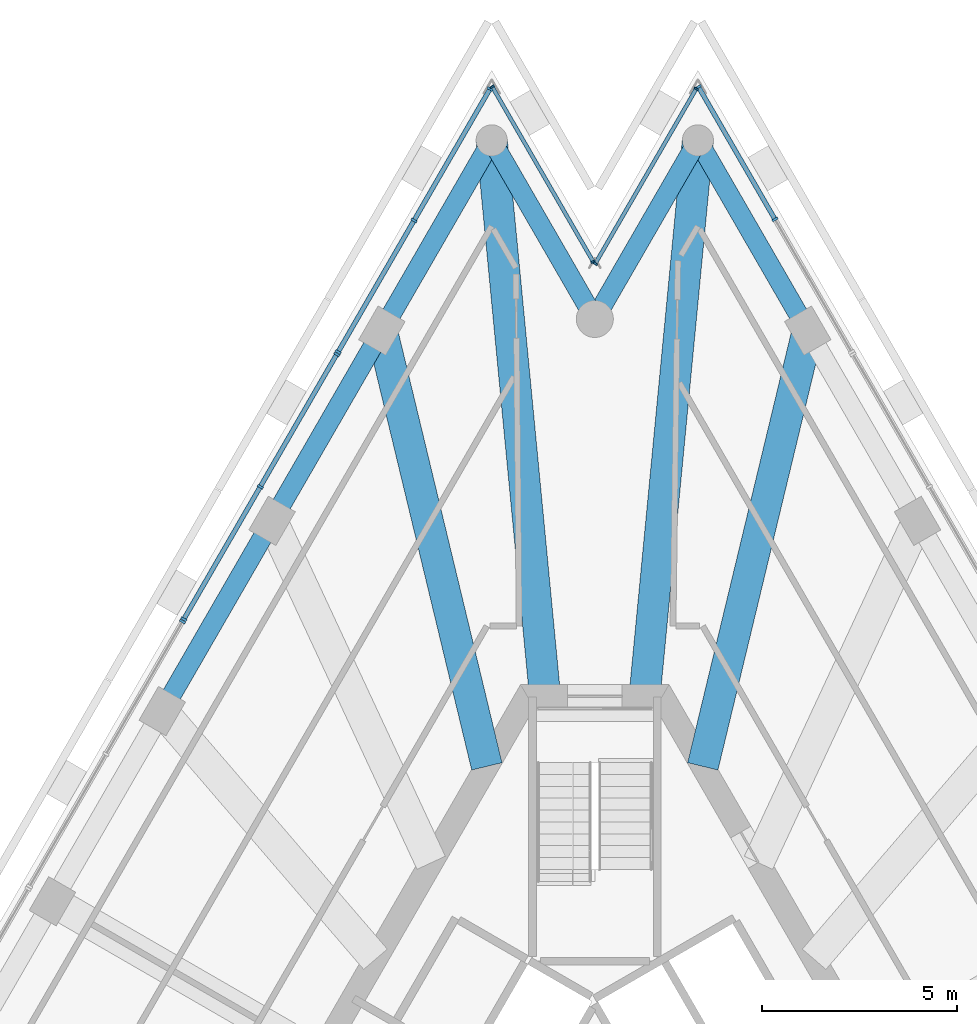
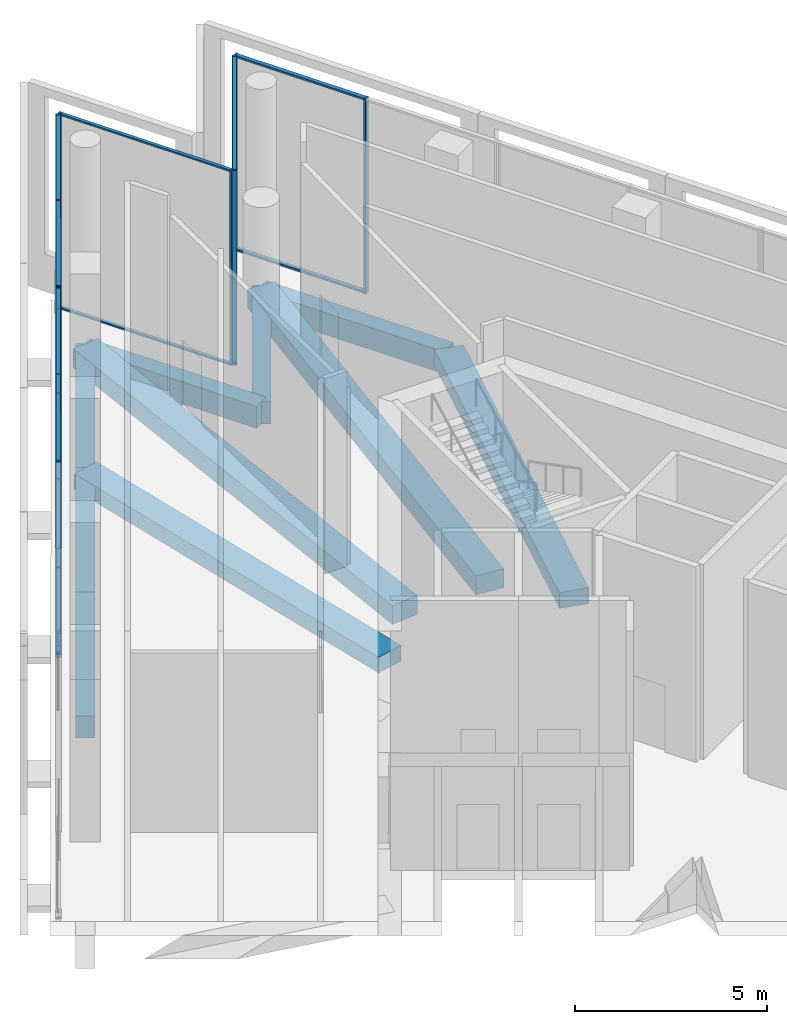
# One storey, part 7 of 16: 27 members, 10 beams, 6 elements without a shape of their own.
"""IFC4 building model written with IfcOpenShell, lengths in metres."""

import ifcopenshell
import ifcopenshell.guid

model = None  # the IFC model being written
_history = None  # IfcOwnerHistory: only IFC2X3 demands one
_inside = {}  # id of a spatial element -> (the spatial element, [elements in it])
_under = {}  # id of a project, library or spatial element -> (it, [spatial elements below it])
_declared = {}  # id of a project -> (the project, [libraries it declares])
_typed = {}  # id of a type object -> (the type object, [elements of that type])
_made_of = {}  # id of a material, layer set ... -> (it, [elements and type objects made of it])


def new_model(schema):
    """Start an empty IFC model of exactly this schema.

    Asked for "IFC4X3", IfcOpenShell would pick the latest addendum, in which some entities
    have other attributes; the version numbers below select the first issue.
    IFC2X3 requires an IfcOwnerHistory on every rooted entity: one is made here for all.
    """
    global model, _history
    if schema == "IFC4X3":
        model = ifcopenshell.file(schema_version=(4, 3, 0, 0))
    else:
        model = ifcopenshell.file(schema=schema)
    _inside.clear()
    _under.clear()
    _declared.clear()
    _typed.clear()
    _made_of.clear()
    _history = None
    if model.schema == "IFC2X3":
        org = make("IfcOrganization", Name="unknown")
        user = make(
            "IfcPersonAndOrganization",
            ThePerson=make("IfcPerson", FamilyName="unknown"),
            TheOrganization=org,
        )
        app = make(
            "IfcApplication",
            ApplicationDeveloper=org,
            Version="unknown",
            ApplicationFullName="unknown",
            ApplicationIdentifier="unknown",
        )
        _history = make(
            "IfcOwnerHistory",
            OwningUser=user,
            OwningApplication=app,
            ChangeAction="ADDED",
            CreationDate=0,
        )
    return model


def make(cls, **values):
    """One entity of the class cls with the attributes given. An attribute that is None is left unset."""
    return model.create_entity(
        cls, **{name: value for name, value in values.items() if value is not None}
    )


def rooted(cls, **values):
    """An entity with a GlobalId (a new one), such as an element, a storey or a relation."""
    return make(cls, GlobalId=ifcopenshell.guid.new(), OwnerHistory=_history, **values)


def si_unit(unit_type, name, prefix=None):
    """IfcSIUnit, for example si_unit("LENGTHUNIT", "METRE", prefix="MILLI")."""
    return make("IfcSIUnit", UnitType=unit_type, Prefix=prefix, Name=name)


def assignment(units):
    """IfcUnitAssignment: the units of a project."""
    return None if units is None else make("IfcUnitAssignment", Units=units)


def point(xyz):
    """IfcCartesianPoint."""
    return None if xyz is None else make("IfcCartesianPoint", Coordinates=xyz)


def direction(xyz):
    """IfcDirection."""
    return None if xyz is None else make("IfcDirection", DirectionRatios=xyz)


def frame(location, z_axis=None, x_axis=None):
    """IfcAxis2Placement3D, a coordinate frame: its origin and axes. An axis left out is left unset."""
    return make(
        "IfcAxis2Placement3D",
        Location=point(location),
        Axis=direction(z_axis),
        RefDirection=direction(x_axis),
    )


def frame_2d(location, x_axis=None):
    """IfcAxis2Placement2D, a coordinate frame in the plane: its origin and x axis."""
    return make(
        "IfcAxis2Placement2D", Location=point(location), RefDirection=direction(x_axis)
    )


def origin():
    """The frame at (0, 0, 0) with its axes left unset."""
    return frame((0.0, 0.0, 0.0))


def origin_2d():
    """The frame at (0, 0) in the plane with its x axis left unset."""
    return frame_2d((0.0, 0.0))


def place(relative_to, where):
    """IfcLocalPlacement: puts the frame where relative to a parent placement (None: the world)."""
    return make(
        "IfcLocalPlacement", PlacementRelTo=relative_to, RelativePlacement=where
    )


def context(
    kind, dimensions, precision=None, world=None, true_north=None, identifier=None
):
    """IfcGeometricRepresentationContext, for example the 3D "Model" context."""
    return make(
        "IfcGeometricRepresentationContext",
        ContextIdentifier=identifier,
        ContextType=kind,
        CoordinateSpaceDimension=dimensions,
        Precision=precision,
        WorldCoordinateSystem=world,
        TrueNorth=true_north,
    )


def subcontext(parent, identifier, kind, view, scale=None):
    """IfcGeometricRepresentationSubContext, for example "Body" below "Model"."""
    return make(
        "IfcGeometricRepresentationSubContext",
        ContextIdentifier=identifier,
        ContextType=kind,
        ParentContext=parent,
        TargetScale=scale,
        TargetView=view,
    )


def project(units=None, contexts=None):
    """IfcProject with its units and contexts."""
    return rooted(
        "IfcProject",
        Name="project",
        RepresentationContexts=contexts,
        UnitsInContext=assignment(units),
    )


def spatial(cls, under=None, at=None, **own):
    """A site, building, storey or space (cls), placed at a placement, below another one or the project."""
    s = rooted(cls, ObjectPlacement=at, **own)
    if under is not None:
        _under.setdefault(under.id(), (under, []))[1].append(s)
    return s


def profile(cls, at=None, kind="AREA", **sizes):
    """A parametric profile (cls). Its sizes go by their IFC names, for example OverallWidth=200.0."""
    return make(cls, ProfileType=kind, Position=at, **sizes)


def rectangle(**sizes):
    """IfcRectangleProfileDef."""
    return profile("IfcRectangleProfileDef", **sizes)


def extrude(swept, where, along, depth):
    """IfcExtrudedAreaSolid: the profile swept, set in the frame where, extruded along a direction by depth."""
    return make(
        "IfcExtrudedAreaSolid",
        SweptArea=swept,
        Position=where,
        ExtrudedDirection=direction(along),
        Depth=depth,
    )


def shape(context_of_items, identifier, shape_type, items):
    """IfcShapeRepresentation: the items that make up one representation, for example the "Body"."""
    return make(
        "IfcShapeRepresentation",
        ContextOfItems=context_of_items,
        RepresentationIdentifier=identifier,
        RepresentationType=shape_type,
        Items=items,
    )


def material(Name=None, Category=None):
    """IfcMaterial."""
    return make("IfcMaterial", Name=Name, Category=Category)


def layer(
    of_material, thickness, ventilated=None, Name=None, Category=None, Priority=None
):
    """IfcMaterialLayer: one layer of a wall or slab, of a material (None: an air gap)."""
    return make(
        "IfcMaterialLayer",
        Material=of_material,
        LayerThickness=thickness,
        IsVentilated=ventilated,
        Name=Name,
        Category=Category,
        Priority=Priority,
    )


def layer_set(layers, Name=None):
    """IfcMaterialLayerSet."""
    return make("IfcMaterialLayerSet", MaterialLayers=layers, LayerSetName=Name)


def material_profile(
    of_material, cross_section, Name=None, Category=None, Priority=None
):
    """IfcMaterialProfile: a cross section and its material."""
    return make(
        "IfcMaterialProfile",
        Name=Name,
        Material=of_material,
        Profile=cross_section,
        Priority=Priority,
        Category=Category,
    )


def profile_set(profiles, Name=None, composite=None):
    """IfcMaterialProfileSet."""
    return make(
        "IfcMaterialProfileSet",
        Name=Name,
        MaterialProfiles=profiles,
        CompositeProfile=composite,
    )


def made_of(thing, what):
    """Note that an element or type object is made of a material, layer set ...; save() writes the relation."""
    if what is not None:
        _made_of.setdefault(what.id(), (what, []))[1].append(thing)
    return thing


def type_object(cls, material=None, **own):
    """A type object (cls), such as IfcWallType, which elements share."""
    return made_of(rooted(cls, **own), material)


def element(
    cls,
    number,
    at=None,
    inside=None,
    cuts=None,
    type_object=None,
    material=None,
    context=None,
    identifier="Body",
    shape_type=None,
    held_by="IfcProductDefinitionShape",
    body=None,
    shapes=None,
    **own,
):
    """One element of the class cls, such as IfcWall. Its Tag is "e" and its number.

    at: its placement. inside: the storey or other place that contains it. cuts: it is an
    opening in that element (IfcRelVoidsElement). A single representation is given by context,
    identifier, shape_type and body (its items); several are given by shapes. held_by: the class
    of the entity that holds the representations. save() writes the other relations.
    """
    e = rooted(cls, Tag="e%d" % number, ObjectPlacement=at, **own)
    if body is not None:
        shapes = [shape(context, identifier, shape_type, body)]
    if shapes is not None:
        e.Representation = make(held_by, Representations=shapes)
    if inside is not None:
        _inside.setdefault(inside.id(), (inside, []))[1].append(e)
    if cuts is not None:
        rooted(
            "IfcRelVoidsElement", RelatingBuildingElement=cuts, RelatedOpeningElement=e
        )
    if type_object is not None:
        _typed.setdefault(type_object.id(), (type_object, []))[1].append(e)
    return made_of(e, material)


def aggregate(whole, parts):
    """IfcRelAggregates: a whole, such as a stair, and the parts it consists of."""
    return rooted("IfcRelAggregates", RelatingObject=whole, RelatedObjects=parts)


def save(model, path):
    """Write the relations noted so far, then the file.

    IfcRelAggregates (storeys below a building ...), IfcRelContainedInSpatialStructure (elements
    in a storey), IfcRelDefinesByType, IfcRelAssociatesMaterial and IfcRelDeclares: one each for
    every whole, place, type object, material and project.
    """
    for whole, parts in _under.values():
        aggregate(whole, parts)
    for where, things in _inside.values():
        rooted(
            "IfcRelContainedInSpatialStructure",
            RelatedElements=things,
            RelatingStructure=where,
        )
    for kind, things in _typed.values():
        rooted("IfcRelDefinesByType", RelatedObjects=things, RelatingType=kind)
    for what, things in _made_of.values():
        rooted("IfcRelAssociatesMaterial", RelatedObjects=things, RelatingMaterial=what)
    for by, libraries in _declared.values():
        rooted("IfcRelDeclares", RelatingContext=by, RelatedDefinitions=libraries)
    model.write(path)


model = new_model("IFC4")

# Units and contexts
model_context = context("Model", 3, precision=1e-05, world=origin(), true_north=direction((0.0, 1.0)))
body_context = subcontext(model_context, "Body", "Model", "MODEL_VIEW")
ifc_project = project(units=[si_unit("LENGTHUNIT", "METRE"), si_unit("AREAUNIT", "SQUARE_METRE"), si_unit("VOLUMEUNIT", "CUBIC_METRE"), si_unit("PLANEANGLEUNIT", "RADIAN"), si_unit("MASSUNIT", "GRAM", prefix="KILO")], contexts=[model_context])

# Site, building, storey
site_placement = place(None, origin())
site = spatial("IfcSite", under=ifc_project, at=site_placement, CompositionType="ELEMENT")
building_placement = place(site_placement, origin())
building = spatial("IfcBuilding", under=site, at=building_placement, Name="Triada Interchange Tower", CompositionType="ELEMENT")
storey_placement = place(building_placement, frame((0.0, 0.0, 261.800048828125)))
storey = spatial("IfcBuildingStorey", under=building, at=storey_placement, Name="L61", CompositionType="ELEMENT", Elevation=261.800048828125)

# Curtain wall, members
ifc_material_1 = material(Name="Aluminium framed glazing", Category="aluminium")
ifc_layer_1 = layer(ifc_material_1, 0.199951171875)
ifc_layer_set_1 = layer_set([ifc_layer_1], Name="Curtain wall Sky lobby glazing")
curtain_wall_type_1 = type_object("IfcCurtainWallType", Name="Curtain wall Sky lobby glazing", PredefinedType="NOTDEFINED", material=ifc_layer_set_1)
curtain_wall_1_placement = place(storey_placement, origin())
curtain_wall_1 = element("IfcCurtainWall", 1, at=curtain_wall_1_placement, inside=storey, type_object=curtain_wall_type_1, Name="Sky lobby glazing CW201 L61", PredefinedType="NOTDEFINED")
ifc_material_2 = material(Name="Aluminium", Category="aluminium")
ifc_material_profile_1 = material_profile(ifc_material_2, rectangle(XDim=0.159912109375, YDim=0.06005859375, at=origin_2d()), Name="Aluminium mullion")
ifc_profile_set_1 = profile_set([ifc_material_profile_1], Name="Aluminium")
member_type_1 = type_object("IfcMemberType", Name="Mullion Sky lobby glazing 160x60", PredefinedType="MULLION", material=ifc_profile_set_1)
member_1_placement = place(storey_placement, frame((-2.69091796875, 28.89013671875, 0.0), z_axis=(0.0, 0.0, 1.0), x_axis=(0.866041454756, -0.499972197871, 0.0)))
member_1 = element("IfcMember", 2, at=member_1_placement, type_object=member_type_1, Name="CW201 mullion 1", PredefinedType="MULLION", context=body_context, shape_type="SweptSolid", body=[
    extrude(rectangle(XDim=0.159912109375, YDim=0.06005859375, at=origin_2d()), origin(), (0.0, 0.0, 1.0), 6.199951171875),
])
member_2_placement = place(storey_placement, frame((-4.639892578125, 25.513916015625, 0.0), z_axis=(0.0, 0.0, 1.0), x_axis=(0.866041454756, -0.499972197871, 0.0)))
member_2 = element("IfcMember", 3, at=member_2_placement, type_object=member_type_1, Name="CW201 mullion 2", PredefinedType="MULLION", context=body_context, shape_type="SweptSolid", body=[
    extrude(rectangle(XDim=0.159912109375, YDim=0.06005859375, at=origin_2d()), origin(), (0.0, 0.0, 1.0), 6.199951171875),
])
member_3_placement = place(storey_placement, frame((-6.589111328125, 22.137939453125, 0.0), z_axis=(0.0, 0.0, 1.0), x_axis=(0.866041454756, -0.499972197871, 0.0)))
member_3 = element("IfcMember", 4, at=member_3_placement, type_object=member_type_1, Name="CW201 mullion 3", PredefinedType="MULLION", context=body_context, shape_type="SweptSolid", body=[
    extrude(rectangle(XDim=0.159912109375, YDim=0.06005859375, at=origin_2d()), origin(), (0.0, 0.0, 1.0), 6.199951171875),
])

curtain_wall_2_placement = place(storey_placement, origin())
curtain_wall_2 = element("IfcCurtainWall", 5, at=curtain_wall_2_placement, inside=storey, type_object=curtain_wall_type_1, Name="Sky lobby glazing CW202 L61", PredefinedType="NOTDEFINED")
member_4_placement = place(storey_placement, frame((-6.6240234375, 22.078125, 0.0), z_axis=(0.0, 0.0, 1.0), x_axis=(0.866025625136, -0.499999616608, 0.0)))
member_4 = element("IfcMember", 6, at=member_4_placement, type_object=member_type_1, Name="CW202 mullion 1", PredefinedType="MULLION", context=body_context, shape_type="SweptSolid", body=[
    extrude(rectangle(XDim=0.159912109375, YDim=0.06005859375, at=origin_2d()), origin(), (0.0, 0.0, 1.0), 6.199951171875),
])
member_5_placement = place(storey_placement, frame((-8.5869140625, 18.677978515625, 0.0), z_axis=(0.0, 0.0, 1.0), x_axis=(0.866025625136, -0.499999616608, 0.0)))
member_5 = element("IfcMember", 7, at=member_5_placement, type_object=member_type_1, Name="CW202 mullion 2", PredefinedType="MULLION", context=body_context, shape_type="SweptSolid", body=[
    extrude(rectangle(XDim=0.159912109375, YDim=0.06005859375, at=origin_2d()), origin(), (0.0, 0.0, 1.0), 6.199951171875),
])
member_6_placement = place(storey_placement, frame((-10.550048828125, 15.278076171875, 0.0), z_axis=(0.0, 0.0, 1.0), x_axis=(0.866025625136, -0.499999616608, 0.0)))
member_6 = element("IfcMember", 8, at=member_6_placement, type_object=member_type_1, Name="CW202 mullion 3", PredefinedType="MULLION", context=body_context, shape_type="SweptSolid", body=[
    extrude(rectangle(XDim=0.159912109375, YDim=0.06005859375, at=origin_2d()), origin(), (0.0, 0.0, 1.0), 6.199951171875),
])

# Curtain wall, member
curtain_wall_3_placement = place(storey_placement, origin())
curtain_wall_3 = element("IfcCurtainWall", 9, at=curtain_wall_3_placement, inside=storey, type_object=curtain_wall_type_1, Name="Sky lobby glazing CW203 L61", PredefinedType="NOTDEFINED")
member_7_placement = place(storey_placement, frame((-10.5849609375, 15.218017578125, 0.0), z_axis=(0.0, 0.0, 1.0), x_axis=(0.866025625136, -0.499999616608, 0.0)))
member_7 = element("IfcMember", 10, at=member_7_placement, type_object=member_type_1, Name="CW203 mullion 1", PredefinedType="MULLION", context=body_context, shape_type="SweptSolid", body=[
    extrude(rectangle(XDim=0.159912109375, YDim=0.06005859375, at=origin_2d()), origin(), (0.0, 0.0, 1.0), 6.199951171875),
])
aggregate(curtain_wall_3, [member_7])

# Curtain wall, members
curtain_wall_4_placement = place(storey_placement, origin())
curtain_wall_4 = element("IfcCurtainWall", 11, at=curtain_wall_4_placement, inside=storey, type_object=curtain_wall_type_1, Name="Sky lobby glazing CW222 L61", PredefinedType="NOTDEFINED")
member_8_placement = place(storey_placement, frame((4.62548828125, 25.5400390625, 0.0), z_axis=(0.0, 0.0, 1.0), x_axis=(-0.865987850767, -0.500065038095, 0.0)))
member_8 = element("IfcMember", 12, at=member_8_placement, type_object=member_type_1, Name="CW222 mullion 2", PredefinedType="MULLION", context=body_context, shape_type="SweptSolid", body=[
    extrude(rectangle(XDim=0.159912109375, YDim=0.06005859375, at=origin_2d()), origin(), (0.0, 0.0, 1.0), 6.199951171875),
])
member_9_placement = place(storey_placement, frame((2.660888671875, 28.942138671875, 0.0), z_axis=(0.0, 0.0, 1.0), x_axis=(-0.865987850767, -0.500065038095, 0.0)))
member_9 = element("IfcMember", 13, at=member_9_placement, type_object=member_type_1, Name="CW222 mullion 3", PredefinedType="MULLION", context=body_context, shape_type="SweptSolid", body=[
    extrude(rectangle(XDim=0.159912109375, YDim=0.06005859375, at=origin_2d()), origin(), (0.0, 0.0, 1.0), 6.199951171875),
])

ifc_layer_2 = layer(ifc_material_1, 0.199951171875)
ifc_layer_set_2 = layer_set([ifc_layer_2], Name="Curtain wall Winter garden glazing")
curtain_wall_type_2 = type_object("IfcCurtainWallType", Name="Curtain wall Winter garden glazing", PredefinedType="NOTDEFINED", material=ifc_layer_set_2)
curtain_wall_5_placement = place(storey_placement, origin())
curtain_wall_5 = element("IfcCurtainWall", 14, at=curtain_wall_5_placement, inside=storey, type_object=curtain_wall_type_2, Name="Winter garden glazing CW223 L61", PredefinedType="NOTDEFINED")
ifc_material_profile_2 = material_profile(ifc_material_2, rectangle(XDim=0.1201171875, YDim=0.050048828125, at=origin_2d()), Name="Aluminium mullion")
ifc_profile_set_2 = profile_set([ifc_material_profile_2], Name="Aluminium")
member_type_2 = type_object("IfcMemberType", Name="Mullion Winter garden glazing 120x50", PredefinedType="MULLION", material=ifc_profile_set_2)
member_10_placement = place(storey_placement, frame((2.603515625, 28.894287109375, 0.0), z_axis=(0.0, 0.0, 1.0), x_axis=(0.866023257711, -0.50000371709, 0.0)))
member_10 = element("IfcMember", 15, at=member_10_placement, type_object=member_type_2, Name="CW223 mullion 1", PredefinedType="MULLION", context=body_context, shape_type="SweptSolid", body=[
    extrude(rectangle(XDim=0.1201171875, YDim=0.050048828125, at=origin_2d()), origin(), (0.0, 0.0, 1.0), 6.199951171875),
])
member_11_placement = place(storey_placement, frame((0.012451171875, 24.40673828125, 0.0), z_axis=(0.0, 0.0, 1.0), x_axis=(0.866023257711, -0.50000371709, 0.0)))
member_11 = element("IfcMember", 16, at=member_11_placement, type_object=member_type_2, Name="CW223 mullion 2", PredefinedType="MULLION", context=body_context, shape_type="SweptSolid", body=[
    extrude(rectangle(XDim=0.1201171875, YDim=0.050048828125, at=origin_2d()), origin(), (0.0, 0.0, 1.0), 6.199951171875),
])

curtain_wall_6_placement = place(storey_placement, origin())
curtain_wall_6 = element("IfcCurtainWall", 17, at=curtain_wall_6_placement, inside=storey, type_object=curtain_wall_type_2, Name="Winter garden glazing CW224 L61", PredefinedType="NOTDEFINED")
member_12_placement = place(storey_placement, frame((-0.04248046875, 24.458740234375, 0.0), z_axis=(0.0, 0.0, 1.0), x_axis=(-0.866023257711, -0.50000371709, 0.0)))
member_12 = element("IfcMember", 18, at=member_12_placement, type_object=member_type_2, Name="CW224 mullion 1", PredefinedType="MULLION", context=body_context, shape_type="SweptSolid", body=[
    extrude(rectangle(XDim=0.1201171875, YDim=0.050048828125, at=origin_2d()), origin(), (0.0, 0.0, 1.0), 6.199951171875),
])
member_13_placement = place(storey_placement, frame((-2.633544921875, 28.9462890625, 0.0), z_axis=(0.0, 0.0, 1.0), x_axis=(-0.866023257711, -0.50000371709, 0.0)))
member_13 = element("IfcMember", 19, at=member_13_placement, type_object=member_type_2, Name="CW224 mullion 2", PredefinedType="MULLION", context=body_context, shape_type="SweptSolid", body=[
    extrude(rectangle(XDim=0.1201171875, YDim=0.050048828125, at=origin_2d()), origin(), (0.0, 0.0, 1.0), 6.199951171875),
])

# Beams
ifc_material_3 = material(Name="Concrete C50/60", Category="concrete")
ifc_material_profile_3 = material_profile(ifc_material_3, rectangle(XDim=0.800048828125, YDim=0.5, at=origin_2d()), Name="RC 800x500")
ifc_profile_set_3 = profile_set([ifc_material_profile_3], Name="Concrete C50/60")
beam_type_1 = type_object("IfcBeamType", Name="Radial band beam D RC 800x500", PredefinedType="BEAM", material=ifc_profile_set_3)
for number, where, z_axis, x_axis, name in (
    (20, (-5.465087890625, 22.68603515625, -0.550048828125), (0.234168241944, -0.972196088485, 0.0), (0.972196088485, 0.234168241944, 0.0), "Radial band beam BD02 L61"),
    (21, (5.465087890625, 22.68603515625, -0.550048828125), (-0.234168241944, -0.972196088485, 0.0), (0.972196088485, -0.234168241944, 0.0), "Radial band beam BD28 L61"),
):
    element("IfcBeam", number, at=place(storey_placement, frame(where, z_axis=z_axis, x_axis=x_axis)), inside=storey, type_object=beam_type_1, Name=name, PredefinedType="BEAM", context=body_context, shape_type="SweptSolid", body=[
        extrude(rectangle(XDim=0.800048828125, YDim=0.5, at=origin_2d()), origin(), (0.0, 0.0, 1.0), 11.5048828125),
    ])
ifc_material_profile_4 = material_profile(ifc_material_3, rectangle(XDim=0.800048828125, YDim=0.60009765625, at=origin_2d()), Name="RC 800x600")
ifc_profile_set_4 = profile_set([ifc_material_profile_4], Name="Concrete C50/60")
beam_type_2 = type_object("IfcBeamType", Name="Radial band beam D RC 800x600", PredefinedType="BEAM", material=ifc_profile_set_4)
for number, where, z_axis, x_axis, name in (
    (22, (-2.64599609375, 27.568115234375, -0.60009765625), (0.095502743538, -0.99542916673, 0.0), (0.99542916673, 0.095502743538, 0.0), "Radial band beam BD01 L61"),
    (23, (2.64599609375, 27.568115234375, -0.60009765625), (-0.095502743538, -0.99542916673, 0.0), (0.99542916673, -0.095502743538, 0.0), "Radial band beam BD29 L61"),
):
    element("IfcBeam", number, at=place(storey_placement, frame(where, z_axis=z_axis, x_axis=x_axis)), inside=storey, type_object=beam_type_2, Name=name, PredefinedType="BEAM", context=body_context, shape_type="SweptSolid", body=[
        extrude(rectangle(XDim=0.800048828125, YDim=0.60009765625, at=origin_2d()), origin(), (0.0, 0.0, 1.0), 14.33349609375),
    ])
ifc_material_profile_5 = material_profile(ifc_material_3, rectangle(XDim=0.5, YDim=0.699951171875, at=origin_2d()), Name="RC 500x700")
ifc_profile_set_5 = profile_set([ifc_material_profile_5], Name="Concrete C50/60")
beam_type_3 = type_object("IfcBeamType", Name="Spandrel beam D RC 500x700", PredefinedType="BEAM", material=ifc_profile_set_5)
beam_1_placement = place(storey_placement, frame((-2.64599609375, 27.568115234375, -0.650146484375), z_axis=(-0.500056080423, -0.865993023316, 0.0), x_axis=(0.865993023316, -0.500056080423, 0.0)))
element("IfcBeam", 24, at=beam_1_placement, inside=storey, type_object=beam_type_3, Name="Spandrel beam ED01 L61", PredefinedType="BEAM", context=body_context, shape_type="SweptSolid", body=[
    extrude(rectangle(XDim=0.5, YDim=0.699951171875, at=origin_2d()), origin(), (0.0, 0.0, 1.0), 5.637451171875),
])
beam_2_placement = place(storey_placement, frame((-5.465087890625, 22.68603515625, -0.650146484375), z_axis=(-0.499948599132, -0.866055078056, 0.0), x_axis=(0.866055078056, -0.499948599132, 0.0)))
element("IfcBeam", 25, at=beam_2_placement, inside=storey, type_object=beam_type_3, Name="Spandrel beam ED02 L61", PredefinedType="BEAM", context=body_context, shape_type="SweptSolid", body=[
    extrude(rectangle(XDim=0.5, YDim=0.699951171875, at=origin_2d()), origin(), (0.0, 0.0, 1.0), 5.63818359375),
])
beam_3_placement = place(storey_placement, frame((-8.283935546875, 17.802978515625, -0.650146484375), z_axis=(-0.499981075744, -0.866036329433, 0.0), x_axis=(0.866036329433, -0.499981075744, 0.0)))
element("IfcBeam", 26, at=beam_3_placement, inside=storey, type_object=beam_type_3, Name="Spandrel beam ED03 L61", PredefinedType="BEAM", context=body_context, shape_type="SweptSolid", body=[
    extrude(rectangle(XDim=0.5, YDim=0.699951171875, at=origin_2d()), origin(), (0.0, 0.0, 1.0), 5.638427734375),
])
beam_4_placement = place(storey_placement, frame((5.465087890625, 22.68603515625, -0.650146484375), z_axis=(-0.500056080423, 0.865993023316, 0.0), x_axis=(-0.865993023316, -0.500056080423, 0.0)))
element("IfcBeam", 27, at=beam_4_placement, inside=storey, type_object=beam_type_3, Name="Spandrel beam ED28 L61", PredefinedType="BEAM", context=body_context, shape_type="SweptSolid", body=[
    extrude(rectangle(XDim=0.5, YDim=0.699951171875, at=origin_2d()), origin(), (0.0, 0.0, 1.0), 5.637451171875),
])
for number, where, z_axis, x_axis, name in (
    (28, (2.64599609375, 27.568115234375, -0.650146484375), (-0.49999933383, -0.866025788398, 0.0), (0.866025788398, -0.49999933383, 0.0), "Spandrel beam ED29 L61"),
    (29, (0.0, 22.985107421875, -0.650146484375), (-0.49999933383, 0.866025788398, 0.0), (-0.866025788398, -0.49999933383, 0.0), "Spandrel beam ED30 L61"),
):
    element("IfcBeam", number, at=place(storey_placement, frame(where, z_axis=z_axis, x_axis=x_axis)), inside=storey, type_object=beam_type_3, Name=name, PredefinedType="BEAM", context=body_context, shape_type="SweptSolid", body=[
        extrude(rectangle(XDim=0.5, YDim=0.699951171875, at=origin_2d()), origin(), (0.0, 0.0, 1.0), 5.2919921875),
    ])

# Member
ifc_material_profile_6 = material_profile(ifc_material_2, rectangle(XDim=0.1201171875, YDim=0.06005859375, at=origin_2d()), Name="Aluminium transom")
ifc_profile_set_6 = profile_set([ifc_material_profile_6], Name="Aluminium")
member_type_3 = type_object("IfcMemberType", Name="Transom Sky lobby glazing 120x60", PredefinedType="USERDEFINED", material=ifc_profile_set_6)
member_14_placement = place(storey_placement, frame((-2.7060546875, 28.864013671875, 0.030029296875), z_axis=(-0.499970234539, -0.866042588199, 0.0), x_axis=(0.866042588199, -0.499970234539, 0.0)))
member_14 = element("IfcMember", 30, at=member_14_placement, type_object=member_type_3, Name="CW201 transom 1.1", ObjectType="TRANSOM", PredefinedType="USERDEFINED", context=body_context, shape_type="SweptSolid", body=[
    extrude(rectangle(XDim=0.1201171875, YDim=0.06005859375, at=origin_2d()), origin(), (0.0, 0.0, 1.0), 3.838134765625),
])

member_15_placement = place(storey_placement, frame((-2.7060546875, 28.864013671875, 6.169921875), z_axis=(-0.499970234539, -0.866042588199, 0.0), x_axis=(0.866042588199, -0.499970234539, 0.0)))
member_15 = element("IfcMember", 31, at=member_15_placement, type_object=member_type_3, Name="CW201 transom 1.2", ObjectType="TRANSOM", PredefinedType="USERDEFINED", context=body_context, shape_type="SweptSolid", body=[
    extrude(rectangle(XDim=0.1201171875, YDim=0.06005859375, at=origin_2d()), origin(), (0.0, 0.0, 1.0), 3.838134765625),
])

member_16_placement = place(storey_placement, frame((-4.655029296875, 25.488037109375, 0.030029296875), z_axis=(-0.499970234539, -0.866042588199, 0.0), x_axis=(0.866042588199, -0.499970234539, 0.0)))
member_16 = element("IfcMember", 32, at=member_16_placement, type_object=member_type_3, Name="CW201 transom 2.1", ObjectType="TRANSOM", PredefinedType="USERDEFINED", context=body_context, shape_type="SweptSolid", body=[
    extrude(rectangle(XDim=0.1201171875, YDim=0.06005859375, at=origin_2d()), origin(), (0.0, 0.0, 1.0), 3.838134765625),
])

member_17_placement = place(storey_placement, frame((-4.655029296875, 25.488037109375, 6.169921875), z_axis=(-0.499970234539, -0.866042588199, 0.0), x_axis=(0.866042588199, -0.499970234539, 0.0)))
member_17 = element("IfcMember", 33, at=member_17_placement, type_object=member_type_3, Name="CW201 transom 2.2", ObjectType="TRANSOM", PredefinedType="USERDEFINED", context=body_context, shape_type="SweptSolid", body=[
    extrude(rectangle(XDim=0.1201171875, YDim=0.06005859375, at=origin_2d()), origin(), (0.0, 0.0, 1.0), 3.838134765625),
])

aggregate(curtain_wall_1, [member_1, member_2, member_3, member_14, member_15, member_16, member_17])

member_18_placement = place(storey_placement, frame((-6.638916015625, 22.052001953125, 0.030029296875), z_axis=(-0.500037689849, -0.866003642447, 0.0), x_axis=(0.866003642447, -0.500037689849, 0.0)))
member_18 = element("IfcMember", 34, at=member_18_placement, type_object=member_type_3, Name="CW202 transom 1.1", ObjectType="TRANSOM", PredefinedType="USERDEFINED", context=body_context, shape_type="SweptSolid", body=[
    extrude(rectangle(XDim=0.1201171875, YDim=0.06005859375, at=origin_2d()), origin(), (0.0, 0.0, 1.0), 3.865966796875),
])

member_19_placement = place(storey_placement, frame((-6.638916015625, 22.052001953125, 6.169921875), z_axis=(-0.500037689849, -0.866003642447, 0.0), x_axis=(0.866003642447, -0.500037689849, 0.0)))
member_19 = element("IfcMember", 35, at=member_19_placement, type_object=member_type_3, Name="CW202 transom 1.2", ObjectType="TRANSOM", PredefinedType="USERDEFINED", context=body_context, shape_type="SweptSolid", body=[
    extrude(rectangle(XDim=0.1201171875, YDim=0.06005859375, at=origin_2d()), origin(), (0.0, 0.0, 1.0), 3.865966796875),
])

member_20_placement = place(storey_placement, frame((-8.60205078125, 18.652099609375, 0.030029296875), z_axis=(-0.49996298108, -0.866046775613, 0.0), x_axis=(0.866046775613, -0.49996298108, 0.0)))
member_20 = element("IfcMember", 36, at=member_20_placement, type_object=member_type_3, Name="CW202 transom 2.1", ObjectType="TRANSOM", PredefinedType="USERDEFINED", context=body_context, shape_type="SweptSolid", body=[
    extrude(rectangle(XDim=0.1201171875, YDim=0.06005859375, at=origin_2d()), origin(), (0.0, 0.0, 1.0), 3.865966796875),
])

member_21_placement = place(storey_placement, frame((-8.60205078125, 18.652099609375, 6.169921875), z_axis=(-0.49996298108, -0.866046775613, 0.0), x_axis=(0.866046775613, -0.49996298108, 0.0)))
member_21 = element("IfcMember", 37, at=member_21_placement, type_object=member_type_3, Name="CW202 transom 2.2", ObjectType="TRANSOM", PredefinedType="USERDEFINED", context=body_context, shape_type="SweptSolid", body=[
    extrude(rectangle(XDim=0.1201171875, YDim=0.06005859375, at=origin_2d()), origin(), (0.0, 0.0, 1.0), 3.865966796875),
])

aggregate(curtain_wall_2, [member_4, member_5, member_6, member_18, member_19, member_20, member_21])

member_22_placement = place(storey_placement, frame((4.610595703125, 25.56591796875, 0.030029296875), z_axis=(-0.500075710248, 0.86598168804, 0.0), x_axis=(-0.86598168804, -0.500075710248, 0.0)))
member_22 = element("IfcMember", 38, at=member_22_placement, type_object=member_type_3, Name="CW222 transom 2.1", ObjectType="TRANSOM", PredefinedType="USERDEFINED", context=body_context, shape_type="SweptSolid", body=[
    extrude(rectangle(XDim=0.1201171875, YDim=0.06005859375, at=origin_2d()), origin(), (0.0, 0.0, 1.0), 3.86865234375),
])

member_23_placement = place(storey_placement, frame((4.610595703125, 25.56591796875, 6.169921875), z_axis=(-0.500075710248, 0.86598168804, 0.0), x_axis=(-0.86598168804, -0.500075710248, 0.0)))
member_23 = element("IfcMember", 39, at=member_23_placement, type_object=member_type_3, Name="CW222 transom 2.2", ObjectType="TRANSOM", PredefinedType="USERDEFINED", context=body_context, shape_type="SweptSolid", body=[
    extrude(rectangle(XDim=0.1201171875, YDim=0.06005859375, at=origin_2d()), origin(), (0.0, 0.0, 1.0), 3.86865234375),
])

aggregate(curtain_wall_4, [member_8, member_9, member_22, member_23])

ifc_material_profile_7 = material_profile(ifc_material_2, rectangle(XDim=0.10009765625, YDim=0.050048828125, at=origin_2d()), Name="Aluminium transom")
ifc_profile_set_7 = profile_set([ifc_material_profile_7], Name="Aluminium")
member_type_4 = type_object("IfcMemberType", Name="Transom Winter garden glazing 100x50", PredefinedType="USERDEFINED", material=ifc_profile_set_7)
member_24_placement = place(storey_placement, frame((2.591064453125, 28.872802734375, 0.02490234375), z_axis=(-0.500012071504, -0.866018434186, 0.0), x_axis=(0.866018434186, -0.500012071504, 0.0)))
member_24 = element("IfcMember", 40, at=member_24_placement, type_object=member_type_4, Name="CW223 transom 1.1", ObjectType="TRANSOM", PredefinedType="USERDEFINED", context=body_context, shape_type="SweptSolid", body=[
    extrude(rectangle(XDim=0.10009765625, YDim=0.050048828125, at=origin_2d()), origin(), (0.0, 0.0, 1.0), 5.132080078125),
])

member_25_placement = place(storey_placement, frame((2.591064453125, 28.872802734375, 6.175048828125), z_axis=(-0.500012071504, -0.866018434186, 0.0), x_axis=(0.866018434186, -0.500012071504, 0.0)))
member_25 = element("IfcMember", 41, at=member_25_placement, type_object=member_type_4, Name="CW223 transom 1.2", ObjectType="TRANSOM", PredefinedType="USERDEFINED", context=body_context, shape_type="SweptSolid", body=[
    extrude(rectangle(XDim=0.10009765625, YDim=0.050048828125, at=origin_2d()), origin(), (0.0, 0.0, 1.0), 5.132080078125),
])

aggregate(curtain_wall_5, [member_10, member_11, member_24, member_25])

member_26_placement = place(storey_placement, frame((-0.054931640625, 24.480224609375, 0.02490234375), z_axis=(-0.500012071504, 0.866018434186, 0.0), x_axis=(-0.866018434186, -0.500012071504, 0.0)))
member_26 = element("IfcMember", 42, at=member_26_placement, type_object=member_type_4, Name="CW224 transom 1.1", ObjectType="TRANSOM", PredefinedType="USERDEFINED", context=body_context, shape_type="SweptSolid", body=[
    extrude(rectangle(XDim=0.10009765625, YDim=0.050048828125, at=origin_2d()), origin(), (0.0, 0.0, 1.0), 5.132080078125),
])

member_27_placement = place(storey_placement, frame((-0.054931640625, 24.480224609375, 6.175048828125), z_axis=(-0.500012071504, 0.866018434186, 0.0), x_axis=(-0.866018434186, -0.500012071504, 0.0)))
member_27 = element("IfcMember", 43, at=member_27_placement, type_object=member_type_4, Name="CW224 transom 1.2", ObjectType="TRANSOM", PredefinedType="USERDEFINED", context=body_context, shape_type="SweptSolid", body=[
    extrude(rectangle(XDim=0.10009765625, YDim=0.050048828125, at=origin_2d()), origin(), (0.0, 0.0, 1.0), 5.132080078125),
])

aggregate(curtain_wall_6, [member_12, member_13, member_26, member_27])

save(model, "model.ifc")
